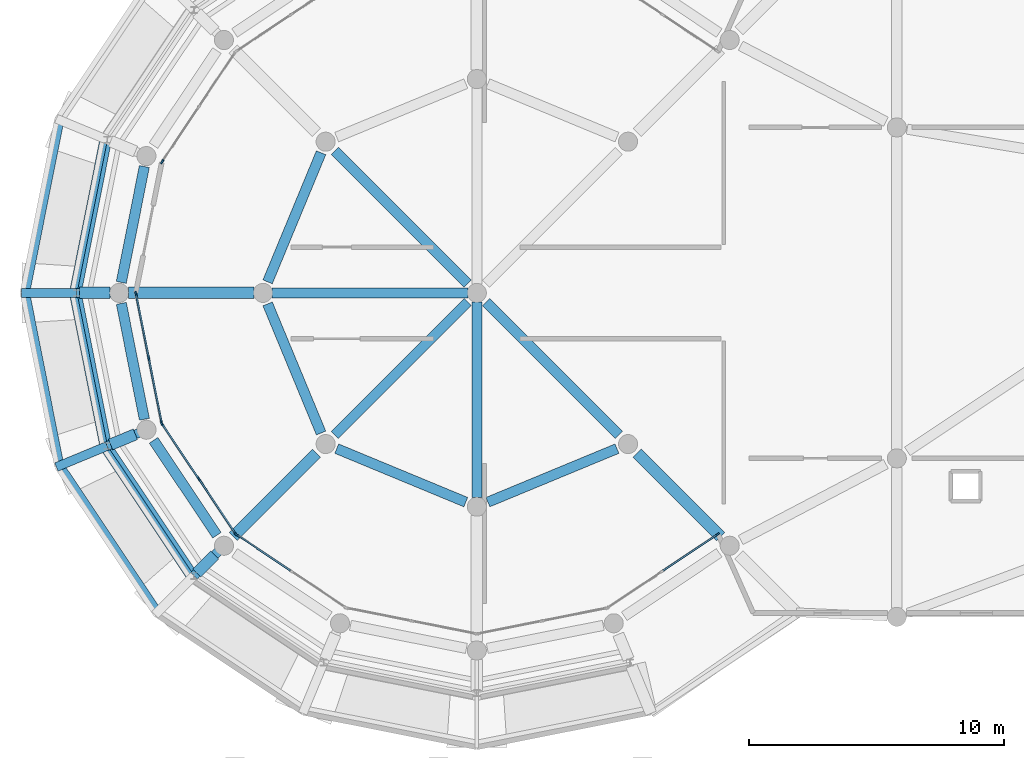
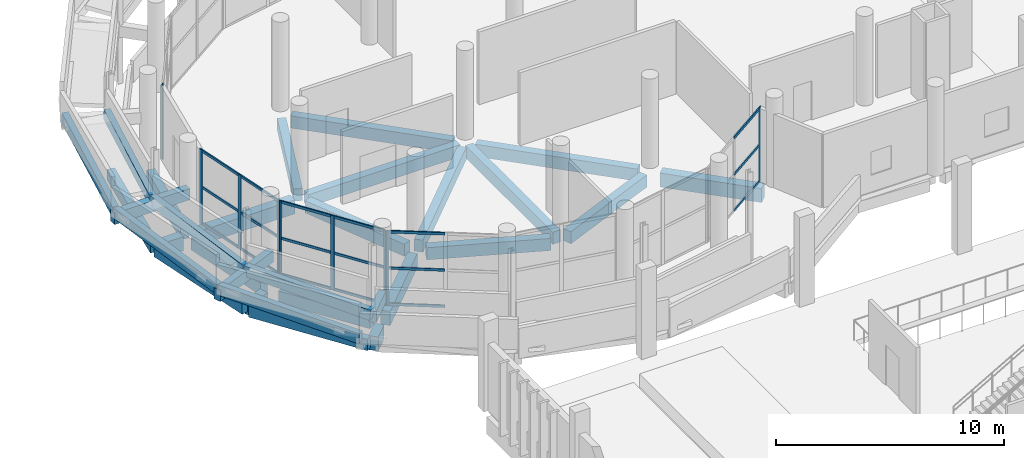
# One storey, part 25 of 106: 32 beams, 27 members, 5 elements without a shape of their own.
"""IFC4 building model written with IfcOpenShell, lengths in metres."""

from ifc_helpers import new_model, si_unit, direction, frame, origin, origin_2d, place, context, subcontext, project, spatial, rectangle, extrude, material, layer, layer_set, material_profile, profile_set, type_object, element, aggregate, save


model = new_model("IFC4")

# Units and contexts
model_context = context("Model", 3, precision=1e-05, world=origin(), true_north=direction((0.0, 1.0)))
body_context = subcontext(model_context, "Body", "Model", "MODEL_VIEW")
ifc_project = project(units=[si_unit("LENGTHUNIT", "METRE"), si_unit("AREAUNIT", "SQUARE_METRE"), si_unit("VOLUMEUNIT", "CUBIC_METRE"), si_unit("PLANEANGLEUNIT", "RADIAN"), si_unit("MASSUNIT", "GRAM", prefix="KILO")], contexts=[model_context])

# Site, building, storey
site_placement = place(None, origin())
site = spatial("IfcSite", under=ifc_project, at=site_placement, CompositionType="ELEMENT")
building_placement = place(site_placement, origin())
building = spatial("IfcBuilding", under=site, at=building_placement, Name="Jelvoka-Kovrelna Polytechnic", CompositionType="ELEMENT")
storey_placement = place(building_placement, frame((0.0, 0.0, 4.800048828125)))
storey = spatial("IfcBuildingStorey", under=building, at=storey_placement, Name="L02", CompositionType="ELEMENT", Elevation=4.800048828125)

# Beams
ifc_material_1 = material(Name="Concrete C35/45", Category="concrete")
ifc_material_profile_1 = material_profile(ifc_material_1, rectangle(XDim=0.35009765625, YDim=0.60009765625, at=origin_2d()), Name="RC 350x600")
ifc_profile_set_1 = profile_set([ifc_material_profile_1], Name="Concrete C35/45")
beam_type_1 = type_object("IfcBeamType", Name="Beam_RC_350x600", PredefinedType="BEAM", material=ifc_profile_set_1)
for number, where, z_axis, x_axis, name in (
    (1, (15.565185546875, 32.565185546875, 0.9150390625), (-0.707106781187, -0.707106781187, 0.0), (0.707106781187, -0.707106781187, 0.0), "L02 spiral ramp inner tie beam 2.8"),
    (2, (12.51953125, 37.123291015625, 1.39501953125), (-0.923870731357, -0.38270467954, 0.0), (0.38270467954, -0.923870731357, 0.0), "L02 spiral ramp inner tie beam 2.7"),
):
    element("IfcBeam", number, at=place(storey_placement, frame(where, z_axis=z_axis, x_axis=x_axis)), inside=storey, type_object=beam_type_1, Name=name, PredefinedType="BEAM", context=body_context, shape_type="SweptSolid", body=[
        extrude(rectangle(XDim=0.35009765625, YDim=0.60009765625, at=origin_2d()), origin(), (0.0, 0.0, 1.0), 1.670166015625),
    ])
beam_1_placement = place(storey_placement, frame((10.9765625, 36.484130859375, 1.39501953125), z_axis=(-0.923910766313, -0.382608018592, 0.0), x_axis=(0.382608018592, -0.923910766313, 0.0)))
element("IfcBeam", 3, at=beam_1_placement, inside=storey, type_object=beam_type_1, Name="L02 spiral ramp cantilever bracket 2.7", PredefinedType="BEAM", context=body_context, shape_type="SweptSolid", body=[
    extrude(rectangle(XDim=0.35009765625, YDim=0.60009765625, at=origin_2d()), origin(), (0.0, 0.0, 1.0), 2.159912109375),
])
beam_2_placement = place(storey_placement, frame((11.449951171875, 42.5, 1.875), z_axis=(-1.0, 0.0, 0.0), x_axis=(0.0, -1.0, 0.0)))
element("IfcBeam", 4, at=beam_2_placement, inside=storey, type_object=beam_type_1, Name="L02 spiral ramp inner tie beam 2.6", PredefinedType="BEAM", context=body_context, shape_type="SweptSolid", body=[
    extrude(rectangle(XDim=0.35009765625, YDim=0.60009765625, at=origin_2d()), origin(), (0.0, 0.0, 1.0), 1.669921875),
])
beam_3_placement = place(storey_placement, frame((9.780029296875, 42.5, 1.875), z_axis=(-1.0, 0.0, 0.0), x_axis=(0.0, -1.0, 0.0)))
element("IfcBeam", 5, at=beam_3_placement, inside=storey, type_object=beam_type_1, Name="L02 spiral ramp cantilever bracket 2.6", PredefinedType="BEAM", context=body_context, shape_type="SweptSolid", body=[
    extrude(rectangle(XDim=0.35009765625, YDim=0.60009765625, at=origin_2d()), origin(), (0.0, 0.0, 1.0), 2.159912109375),
])
ifc_material_2 = material(Name="Concrete C40/50", Category="concrete")
ifc_material_profile_2 = material_profile(ifc_material_2, rectangle(XDim=0.39990234375, YDim=0.64990234375, at=origin_2d()), Name="RC 400x650")
ifc_profile_set_2 = profile_set([ifc_material_profile_2], Name="Concrete C40/50")
beam_type_2 = type_object("IfcBeamType", Name="Beam_RC_400x650", PredefinedType="BEAM", material=ifc_profile_set_2)
beam_4_placement = place(storey_placement, frame((25.13916015625, 42.86083984375, -0.574951171875), z_axis=(-0.707106781187, 0.707106781187, 0.0), x_axis=(-0.707106781187, -0.707106781187, 0.0)))
element("IfcBeam", 6, at=beam_4_placement, inside=storey, type_object=beam_type_2, Name="L02 beam 2400", PredefinedType="BEAM", context=body_context, shape_type="SweptSolid", body=[
    extrude(rectangle(XDim=0.39990234375, YDim=0.64990234375, at=origin_2d()), origin(), (0.0, 0.0, 1.0), 7.37939453125),
])
beam_5_placement = place(storey_placement, frame((25.14501953125, 42.5, -0.574951171875), z_axis=(-1.0, 0.0, 0.0), x_axis=(0.0, -1.0, 0.0)))
element("IfcBeam", 7, at=beam_5_placement, inside=storey, type_object=beam_type_2, Name="L02 beam 2402", PredefinedType="BEAM", context=body_context, shape_type="SweptSolid", body=[
    extrude(rectangle(XDim=0.39990234375, YDim=0.64990234375, at=origin_2d()), origin(), (0.0, 0.0, 1.0), 7.68994140625),
])
beam_6_placement = place(storey_placement, frame((25.13916015625, 42.13916015625, -0.574951171875), z_axis=(-0.707106781187, -0.707106781187, 0.0), x_axis=(0.707106781187, -0.707106781187, 0.0)))
element("IfcBeam", 8, at=beam_6_placement, inside=storey, type_object=beam_type_2, Name="L02 beam 2404", PredefinedType="BEAM", context=body_context, shape_type="SweptSolid", body=[
    extrude(rectangle(XDim=0.39990234375, YDim=0.64990234375, at=origin_2d()), origin(), (0.0, 0.0, 1.0), 7.37939453125),
])
beam_7_placement = place(storey_placement, frame((25.5, 42.14501953125, -0.574951171875), z_axis=(0.0, -1.0, 0.0), x_axis=(1.0, 0.0, 0.0)))
element("IfcBeam", 9, at=beam_7_placement, inside=storey, type_object=beam_type_2, Name="L02 beam 2406", PredefinedType="BEAM", context=body_context, shape_type="SweptSolid", body=[
    extrude(rectangle(XDim=0.39990234375, YDim=0.64990234375, at=origin_2d()), origin(), (0.0, 0.0, 1.0), 7.68994140625),
])
beam_8_placement = place(storey_placement, frame((25.86083984375, 42.13916015625, -0.574951171875), z_axis=(0.707106781187, -0.707106781187, 0.0), x_axis=(0.707106781187, 0.707106781187, 0.0)))
element("IfcBeam", 10, at=beam_8_placement, inside=storey, type_object=beam_type_2, Name="L02 beam 2408", PredefinedType="BEAM", context=body_context, shape_type="SweptSolid", body=[
    extrude(rectangle(XDim=0.39990234375, YDim=0.64990234375, at=origin_2d()), origin(), (0.0, 0.0, 1.0), 7.37939453125),
])
for number, where, z_axis, x_axis, name in (
    (11, (19.380615234375, 48.005615234375, -0.574951171875), (-0.382703994805, -0.923871015002, 0.0), (0.923871015002, -0.382703994805, 0.0), "L02 beam 2412"),
    (12, (17.27978515625, 42.06591796875, -0.574951171875), (0.382703994805, -0.923871015002, 0.0), (0.923871015002, 0.382703994805, 0.0), "L02 beam 2413"),
    (13, (19.994384765625, 36.380615234375, -0.574951171875), (0.923871015002, -0.382703994805, 0.0), (0.382703994805, 0.923871015002, 0.0), "L02 beam 2414"),
    (14, (25.93408203125, 34.27978515625, -0.574951171875), (0.923871015002, 0.382703994805, 0.0), (-0.382703994805, 0.923871015002, 0.0), "L02 beam 2415"),
):
    element("IfcBeam", number, at=place(storey_placement, frame(where, z_axis=z_axis, x_axis=x_axis)), inside=storey, type_object=beam_type_2, Name=name, PredefinedType="BEAM", context=body_context, shape_type="SweptSolid", body=[
        extrude(rectangle(XDim=0.39990234375, YDim=0.64990234375, at=origin_2d()), origin(), (0.0, 0.0, 1.0), 5.489501953125),
    ])
for number, where, z_axis, x_axis, name in (
    (15, (12.4375, 47.4638671875, -0.574951171875), (-0.195144706619, -0.980774461066, 0.0), (0.980774461066, -0.195144706619, 0.0), "L02 beam 2421"),
    (16, (11.531982421875, 42.087158203125, -0.574951171875), (0.195144706619, -0.980774461066, 0.0), (0.980774461066, 0.195144706619, 0.0), "L02 beam 2422"),
):
    element("IfcBeam", number, at=place(storey_placement, frame(where, z_axis=z_axis, x_axis=x_axis)), inside=storey, type_object=beam_type_2, Name=name, PredefinedType="BEAM", context=body_context, shape_type="SweptSolid", body=[
        extrude(rectangle(XDim=0.39990234375, YDim=0.64990234375, at=origin_2d()), origin(), (0.0, 0.0, 1.0), 4.64013671875),
    ])
beam_9_placement = place(storey_placement, frame((12.79736328125, 36.70751953125, -0.574951171875), z_axis=(0.55552960698, -0.831496756319, 0.0), x_axis=(0.831496756319, 0.55552960698, 0.0)))
element("IfcBeam", 17, at=beam_9_placement, inside=storey, type_object=beam_type_2, Name="L02 beam 2423", PredefinedType="BEAM", context=body_context, shape_type="SweptSolid", body=[
    extrude(rectangle(XDim=0.39990234375, YDim=0.64990234375, at=origin_2d()), origin(), (0.0, 0.0, 1.0), 4.481689453125),
])
ifc_material_3 = material(Name="Concrete C40/50", Category="concrete")
ifc_material_profile_3 = material_profile(ifc_material_3, rectangle(XDim=0.449951171875, YDim=0.75, at=origin_2d()), Name="RC 450x750")
ifc_profile_set_3 = profile_set([ifc_material_profile_3], Name="Concrete C40/50")
beam_type_3 = type_object("IfcBeamType", Name="Beam_RC_450x750", PredefinedType="BEAM", material=ifc_profile_set_3)
beam_10_placement = place(storey_placement, frame((16.7451171875, 42.5, -0.625), z_axis=(-1.0, 0.0, 0.0), x_axis=(0.0, -1.0, 0.0)))
element("IfcBeam", 18, at=beam_10_placement, inside=storey, type_object=beam_type_3, Name="L02 beam 2403", PredefinedType="BEAM", context=body_context, shape_type="SweptSolid", body=[
    extrude(rectangle(XDim=0.449951171875, YDim=0.75, at=origin_2d()), origin(), (0.0, 0.0, 1.0), 4.940185546875),
])
for number, where, z_axis, x_axis, name in (
    (19, (19.199462890625, 36.199462890625, -0.625), (-0.707106781187, -0.707106781187, 0.0), (0.707106781187, -0.707106781187, 0.0), "L02 beam 2405"),
    (20, (31.800537109375, 36.199462890625, -0.625), (0.707106781187, -0.707106781187, 0.0), (0.707106781187, 0.707106781187, 0.0), "L02 beam 2409"),
):
    element("IfcBeam", number, at=place(storey_placement, frame(where, z_axis=z_axis, x_axis=x_axis)), inside=storey, type_object=beam_type_3, Name=name, PredefinedType="BEAM", context=body_context, shape_type="SweptSolid", body=[
        extrude(rectangle(XDim=0.449951171875, YDim=0.75, at=origin_2d()), origin(), (0.0, 0.0, 1.0), 4.62939453125),
    ])
beam_11_placement = place(storey_placement, frame((11.094970703125, 42.5, -0.625), z_axis=(-1.0, 0.0, 0.0), x_axis=(0.0, -1.0, 0.0)))
element("IfcBeam", 21, at=beam_11_placement, inside=storey, type_object=beam_type_3, Name="L02 beam 2435", PredefinedType="BEAM", context=body_context, shape_type="SweptSolid", body=[
    extrude(rectangle(XDim=0.449951171875, YDim=0.75, at=origin_2d()), origin(), (0.0, 0.0, 1.0), 1.2080078125),
])
beam_12_placement = place(storey_placement, frame((12.085205078125, 36.943603515625, -0.625), z_axis=(-0.923822033971, -0.382822216634, 0.0), x_axis=(0.382822216634, -0.923822033971, 0.0)))
element("IfcBeam", 22, at=beam_12_placement, inside=storey, type_object=beam_type_3, Name="L02 beam 2436", PredefinedType="BEAM", context=body_context, shape_type="SweptSolid", body=[
    extrude(rectangle(XDim=0.449951171875, YDim=0.75, at=origin_2d()), origin(), (0.0, 0.0, 1.0), 1.05419921875),
])
beam_13_placement = place(storey_placement, frame((15.2041015625, 32.2041015625, -0.625), z_axis=(-0.707106781187, -0.707106781187, 0.0), x_axis=(0.707106781187, -0.707106781187, 0.0)))
element("IfcBeam", 23, at=beam_13_placement, inside=storey, type_object=beam_type_3, Name="L02 beam 2437", PredefinedType="BEAM", context=body_context, shape_type="SweptSolid", body=[
    extrude(rectangle(XDim=0.449951171875, YDim=0.75, at=origin_2d()), origin(), (0.0, 0.0, 1.0), 0.99951171875),
])

# Curtain wall, member
ifc_material_4 = material(Name="Anodised aluminium 6063-T6", Category="aluminium")
ifc_layer = layer(ifc_material_4, 0.179931640625)
ifc_layer_set = layer_set([ifc_layer], Name="Anodised aluminium 6063-T6")
curtain_wall_type = type_object("IfcCurtainWallType", Name="CW_Pavilion", PredefinedType="NOTDEFINED", material=ifc_layer_set)
curtain_wall_1_placement = place(storey_placement, origin())
curtain_wall_1 = element("IfcCurtainWall", 24, at=curtain_wall_1_placement, inside=storey, type_object=curtain_wall_type, Name="L02 glazed curtain wall 226", PredefinedType="NOTDEFINED")
ifc_material_5 = material(Name="Anodised aluminium 6063-T6", Category="aluminium")
ifc_material_profile_4 = material_profile(ifc_material_5, rectangle(XDim=0.06494140625, YDim=0.179931640625, at=origin_2d()), Name="ALU 65x180")
ifc_profile_set_4 = profile_set([ifc_material_profile_4], Name="Anodised aluminium 6063-T6")
member_type_1 = type_object("IfcMemberType", Name="Mullion_M-05", PredefinedType="MULLION", material=ifc_profile_set_4)
member_1_placement = place(storey_placement, frame((13.137939453125, 47.655029296875, -0.02490234375), z_axis=(0.0, 0.0, 1.0), x_axis=(-0.83146132254, 0.555582639326, 0.0)))
member_1 = element("IfcMember", 25, at=member_1_placement, type_object=member_type_1, Name="CW-05 mullion 1", PredefinedType="MULLION", context=body_context, shape_type="SweptSolid", body=[
    extrude(rectangle(XDim=0.06494140625, YDim=0.179931640625, at=origin_2d()), origin(), (0.0, 0.0, 1.0), 4.0),
])
aggregate(curtain_wall_1, [member_1])

# Curtain wall, members
curtain_wall_2_placement = place(storey_placement, origin())
curtain_wall_2 = element("IfcCurtainWall", 26, at=curtain_wall_2_placement, inside=storey, type_object=curtain_wall_type, Name="L02 glazed curtain wall 227", PredefinedType="NOTDEFINED")
member_2_placement = place(storey_placement, frame((13.11376953125, 37.40380859375, -0.02490234375), z_axis=(0.0, 0.0, 1.0), x_axis=(-0.980786108197, -0.195086160371, 0.0)))
member_2 = element("IfcMember", 27, at=member_2_placement, type_object=member_type_1, Name="CW-05 mullion 1", PredefinedType="MULLION", context=body_context, shape_type="SweptSolid", body=[
    extrude(rectangle(XDim=0.06494140625, YDim=0.179931640625, at=origin_2d()), origin(), (0.0, 0.0, 1.0), 4.0),
])
member_3_placement = place(storey_placement, frame((12.610107421875, 39.93603515625, -0.02490234375), z_axis=(0.0, 0.0, 1.0), x_axis=(-0.980786108197, -0.195086160371, 0.0)))
member_3 = element("IfcMember", 28, at=member_3_placement, type_object=member_type_1, Name="CW-05 mullion 2", PredefinedType="MULLION", context=body_context, shape_type="SweptSolid", body=[
    extrude(rectangle(XDim=0.06494140625, YDim=0.179931640625, at=origin_2d()), origin(), (0.0, 0.0, 1.0), 4.0),
])
member_4_placement = place(storey_placement, frame((12.1064453125, 42.468017578125, -0.02490234375), z_axis=(0.0, 0.0, 1.0), x_axis=(-0.980786108197, -0.195086160371, 0.0)))
member_4 = element("IfcMember", 29, at=member_4_placement, type_object=member_type_1, Name="CW-05 mullion 3", PredefinedType="MULLION", context=body_context, shape_type="SweptSolid", body=[
    extrude(rectangle(XDim=0.06494140625, YDim=0.179931640625, at=origin_2d()), origin(), (0.0, 0.0, 1.0), 4.0),
])

curtain_wall_3_placement = place(storey_placement, origin())
curtain_wall_3 = element("IfcCurtainWall", 30, at=curtain_wall_3_placement, inside=storey, type_object=curtain_wall_type, Name="L02 glazed curtain wall 228", PredefinedType="NOTDEFINED")
member_5_placement = place(storey_placement, frame((16.0068359375, 33.0517578125, -0.02490234375), z_axis=(0.0, 0.0, 1.0), x_axis=(-0.83146132254, -0.555582639326, 0.0)))
member_5 = element("IfcMember", 31, at=member_5_placement, type_object=member_type_1, Name="CW-05 mullion 1", PredefinedType="MULLION", context=body_context, shape_type="SweptSolid", body=[
    extrude(rectangle(XDim=0.06494140625, YDim=0.179931640625, at=origin_2d()), origin(), (0.0, 0.0, 1.0), 4.0),
])
member_6_placement = place(storey_placement, frame((14.572509765625, 35.198486328125, -0.02490234375), z_axis=(0.0, 0.0, 1.0), x_axis=(-0.83146132254, -0.555582639326, 0.0)))
member_6 = element("IfcMember", 32, at=member_6_placement, type_object=member_type_1, Name="CW-05 mullion 2", PredefinedType="MULLION", context=body_context, shape_type="SweptSolid", body=[
    extrude(rectangle(XDim=0.06494140625, YDim=0.179931640625, at=origin_2d()), origin(), (0.0, 0.0, 1.0), 4.0),
])
member_7_placement = place(storey_placement, frame((13.137939453125, 37.344970703125, -0.02490234375), z_axis=(0.0, 0.0, 1.0), x_axis=(-0.83146132254, -0.555582639326, 0.0)))
member_7 = element("IfcMember", 33, at=member_7_placement, type_object=member_type_1, Name="CW-05 mullion 3", PredefinedType="MULLION", context=body_context, shape_type="SweptSolid", body=[
    extrude(rectangle(XDim=0.06494140625, YDim=0.179931640625, at=origin_2d()), origin(), (0.0, 0.0, 1.0), 4.0),
])

# Curtain wall, member
curtain_wall_4_placement = place(storey_placement, origin())
curtain_wall_4 = element("IfcCurtainWall", 34, at=curtain_wall_4_placement, inside=storey, type_object=curtain_wall_type, Name="L02 glazed curtain wall 229", PredefinedType="NOTDEFINED")
member_8_placement = place(storey_placement, frame((16.0517578125, 33.0068359375, -0.02490234375), z_axis=(0.0, 0.0, 1.0), x_axis=(-0.555582639326, -0.83146132254, 0.0)))
member_8 = element("IfcMember", 35, at=member_8_placement, type_object=member_type_1, Name="CW-05 mullion 3", PredefinedType="MULLION", context=body_context, shape_type="SweptSolid", body=[
    extrude(rectangle(XDim=0.06494140625, YDim=0.179931640625, at=origin_2d()), origin(), (0.0, 0.0, 1.0), 4.0),
])

curtain_wall_5_placement = place(storey_placement, origin())
curtain_wall_5 = element("IfcCurtainWall", 36, at=curtain_wall_5_placement, inside=storey, type_object=curtain_wall_type, Name="L02 glazed curtain wall 232", PredefinedType="NOTDEFINED")
member_9_placement = place(storey_placement, frame((34.9482421875, 33.0068359375, -0.02490234375), z_axis=(0.0, 0.0, 1.0), x_axis=(0.555582639326, -0.83146132254, 0.0)))
member_9 = element("IfcMember", 37, at=member_9_placement, type_object=member_type_1, Name="CW-05 mullion 1", PredefinedType="MULLION", context=body_context, shape_type="SweptSolid", body=[
    extrude(rectangle(XDim=0.06494140625, YDim=0.179931640625, at=origin_2d()), origin(), (0.0, 0.0, 1.0), 4.0),
])

# Beams
ifc_material_6 = material(Name="Concrete C40/50", Category="concrete")
ifc_material_profile_5 = material_profile(ifc_material_6, rectangle(XDim=0.300048828125, YDim=0.550048828125, at=origin_2d()), Name="RC 300x550")
ifc_profile_set_5 = profile_set([ifc_material_profile_5], Name="Concrete C40/50")
beam_type_4 = type_object("IfcBeamType", Name="Spandrel_RC_300x550", PredefinedType="SPANDREL", material=ifc_profile_set_5)
beam_14_placement = place(storey_placement, frame((12.97021484375, 29.97021484375, 1.1650390625), z_axis=(-0.554262207017, 0.829455823466, 0.069256355599), x_axis=(-0.831452226772, -0.555596251424, 0.0)))
element("IfcBeam", 38, at=beam_14_placement, inside=storey, type_object=beam_type_4, Name="L02 spiral ramp curved outer stringer 2.8", PredefinedType="SPANDREL", context=body_context, shape_type="SweptSolid", body=[
    extrude(rectangle(XDim=0.300048828125, YDim=0.550048828125, at=origin_2d()), origin(), (0.0, 0.0, 1.0), 6.930419921875),
])
beam_15_placement = place(storey_placement, frame((14.285400390625, 31.285400390625, 1.1650390625), z_axis=(-0.553910202908, 0.828977242315, 0.077331874657), x_axis=(-0.831467148194, -0.555573920801, 0.0)))
element("IfcBeam", 39, at=beam_15_placement, inside=storey, type_object=beam_type_4, Name="L02 spiral ramp curved inner stringer 2.8", PredefinedType="SPANDREL", context=body_context, shape_type="SweptSolid", body=[
    extrude(rectangle(XDim=0.300048828125, YDim=0.550048828125, at=origin_2d()), origin(), (0.0, 0.0, 1.0), 6.206787109375),
])
beam_16_placement = place(storey_placement, frame((9.12890625, 35.71875, 1.64501953125), z_axis=(-0.194622265834, 0.978430417341, 0.069253823462), x_axis=(-0.980785212274, -0.195090664524, 0.0)))
element("IfcBeam", 40, at=beam_16_placement, inside=storey, type_object=beam_type_4, Name="L02 spiral ramp curved outer stringer 2.7", PredefinedType="SPANDREL", context=body_context, shape_type="SweptSolid", body=[
    extrude(rectangle(XDim=0.300048828125, YDim=0.550048828125, at=origin_2d()), origin(), (0.0, 0.0, 1.0), 6.9306640625),
])
beam_17_placement = place(storey_placement, frame((10.847412109375, 36.4306640625, 1.64501953125), z_axis=(-0.194545422909, 0.977840520324, 0.07733042892), x_axis=(-0.980777439808, -0.195129735209, 0.0)))
element("IfcBeam", 41, at=beam_17_placement, inside=storey, type_object=beam_type_4, Name="L02 spiral ramp curved inner stringer 2.7", PredefinedType="SPANDREL", context=body_context, shape_type="SweptSolid", body=[
    extrude(rectangle(XDim=0.300048828125, YDim=0.550048828125, at=origin_2d()), origin(), (0.0, 0.0, 1.0), 6.206787109375),
])
beam_18_placement = place(storey_placement, frame((7.780029296875, 42.5, 2.125), z_axis=(0.194622265834, 0.978430417341, 0.069253823462), x_axis=(-0.980785212274, 0.195090664524, 0.0)))
element("IfcBeam", 42, at=beam_18_placement, inside=storey, type_object=beam_type_4, Name="L02 spiral ramp curved outer stringer 2.6", PredefinedType="SPANDREL", context=body_context, shape_type="SweptSolid", body=[
    extrude(rectangle(XDim=0.300048828125, YDim=0.550048828125, at=origin_2d()), origin(), (0.0, 0.0, 1.0), 6.9306640625),
])
beam_19_placement = place(storey_placement, frame((9.639892578125, 42.5, 2.125), z_axis=(0.194545422909, 0.977840520324, 0.07733042892), x_axis=(-0.980777439808, 0.195129735209, 0.0)))
element("IfcBeam", 43, at=beam_19_placement, inside=storey, type_object=beam_type_4, Name="L02 spiral ramp curved inner stringer 2.6", PredefinedType="SPANDREL", context=body_context, shape_type="SweptSolid", body=[
    extrude(rectangle(XDim=0.300048828125, YDim=0.550048828125, at=origin_2d()), origin(), (0.0, 0.0, 1.0), 6.206787109375),
])
ifc_material_7 = material(Name="Concrete C40/50", Category="concrete")
ifc_material_profile_6 = material_profile(ifc_material_7, rectangle(XDim=0.35009765625, YDim=0.60009765625, at=origin_2d()), Name="RC 350x600")
ifc_profile_set_6 = profile_set([ifc_material_profile_6], Name="Concrete C40/50")
beam_type_5 = type_object("IfcBeamType", Name="Spandrel_RC_350x600", PredefinedType="SPANDREL", material=ifc_profile_set_6)
for number, where, z_axis, x_axis, name in (
    (44, (10.951416015625, 48.388916015625, -0.550048828125), (-0.195109079005, -0.98078154922, 0.0), (0.98078154922, -0.195109079005, 0.0), "L02 beam 2446"),
    (45, (9.80517578125, 42.373046875, -0.550048828125), (0.195109079005, -0.98078154922, 0.0), (0.98078154922, 0.195109079005, 0.0), "L02 beam 2447"),
):
    element("IfcBeam", number, at=place(storey_placement, frame(where, z_axis=z_axis, x_axis=x_axis)), inside=storey, type_object=beam_type_5, Name=name, PredefinedType="SPANDREL", context=body_context, shape_type="SweptSolid", body=[
        extrude(rectangle(XDim=0.35009765625, YDim=0.60009765625, at=origin_2d()), origin(), (0.0, 0.0, 1.0), 5.874755859375),
    ])
beam_20_placement = place(storey_placement, frame((11.0634765625, 36.3544921875, -0.550048828125), z_axis=(0.555561254279, -0.831475611635, 0.0), x_axis=(0.831475611635, 0.555561254279, 0.0)))
element("IfcBeam", 46, at=beam_20_placement, inside=storey, type_object=beam_type_5, Name="L02 beam 2448", PredefinedType="SPANDREL", context=body_context, shape_type="SweptSolid", body=[
    extrude(rectangle(XDim=0.35009765625, YDim=0.60009765625, at=origin_2d()), origin(), (0.0, 0.0, 1.0), 5.8212890625),
])

# Member
ifc_material_8 = material(Name="Anodised aluminium 6063-T6", Category="aluminium")
ifc_material_profile_7 = material_profile(ifc_material_8, rectangle(XDim=0.06494140625, YDim=0.135009765625, at=origin_2d()), Name="ALU 65x135")
ifc_profile_set_7 = profile_set([ifc_material_profile_7], Name="Anodised aluminium 6063-T6")
member_type_2 = type_object("IfcMemberType", Name="Transom_T-05", PredefinedType="USERDEFINED", material=ifc_profile_set_7)
member_10_placement = place(storey_placement, frame((13.107421875, 37.435791015625, 0.032470703125), z_axis=(-0.195089945547, 0.980785355287, 0.0), x_axis=(-0.980785355287, -0.195089945547, 0.0)))
member_10 = element("IfcMember", 47, at=member_10_placement, type_object=member_type_2, Name="CW-05 transom 1.1", ObjectType="TRANSOM", PredefinedType="USERDEFINED", context=body_context, shape_type="SweptSolid", body=[
    extrude(rectangle(XDim=0.06494140625, YDim=0.135009765625, at=origin_2d()), origin(), (0.0, 0.0, 1.0), 2.5166015625),
])

member_11_placement = place(storey_placement, frame((13.107421875, 37.435791015625, 1.974853515625), z_axis=(-0.195089945547, 0.980785355287, 0.0), x_axis=(-0.980785355287, -0.195089945547, 0.0)))
member_11 = element("IfcMember", 48, at=member_11_placement, type_object=member_type_2, Name="CW-05 transom 1.2", ObjectType="TRANSOM", PredefinedType="USERDEFINED", context=body_context, shape_type="SweptSolid", body=[
    extrude(rectangle(XDim=0.06494140625, YDim=0.135009765625, at=origin_2d()), origin(), (0.0, 0.0, 1.0), 2.5166015625),
])

member_12_placement = place(storey_placement, frame((13.107421875, 37.435791015625, 3.91748046875), z_axis=(-0.195089945547, 0.980785355287, 0.0), x_axis=(-0.980785355287, -0.195089945547, 0.0)))
member_12 = element("IfcMember", 49, at=member_12_placement, type_object=member_type_2, Name="CW-05 transom 1.3", ObjectType="TRANSOM", PredefinedType="USERDEFINED", context=body_context, shape_type="SweptSolid", body=[
    extrude(rectangle(XDim=0.06494140625, YDim=0.135009765625, at=origin_2d()), origin(), (0.0, 0.0, 1.0), 2.5166015625),
])

member_13_placement = place(storey_placement, frame((12.603759765625, 39.9677734375, 0.032470703125), z_axis=(-0.195071384983, 0.980789047023, 0.0), x_axis=(-0.980789047023, -0.195071384983, 0.0)))
member_13 = element("IfcMember", 50, at=member_13_placement, type_object=member_type_2, Name="CW-05 transom 2.1", ObjectType="TRANSOM", PredefinedType="USERDEFINED", context=body_context, shape_type="SweptSolid", body=[
    extrude(rectangle(XDim=0.06494140625, YDim=0.135009765625, at=origin_2d()), origin(), (0.0, 0.0, 1.0), 2.516845703125),
])

member_14_placement = place(storey_placement, frame((12.603759765625, 39.9677734375, 1.974853515625), z_axis=(-0.195071384983, 0.980789047023, 0.0), x_axis=(-0.980789047023, -0.195071384983, 0.0)))
member_14 = element("IfcMember", 51, at=member_14_placement, type_object=member_type_2, Name="CW-05 transom 2.2", ObjectType="TRANSOM", PredefinedType="USERDEFINED", context=body_context, shape_type="SweptSolid", body=[
    extrude(rectangle(XDim=0.06494140625, YDim=0.135009765625, at=origin_2d()), origin(), (0.0, 0.0, 1.0), 2.516845703125),
])

member_15_placement = place(storey_placement, frame((12.603759765625, 39.9677734375, 3.91748046875), z_axis=(-0.195071384983, 0.980789047023, 0.0), x_axis=(-0.980789047023, -0.195071384983, 0.0)))
member_15 = element("IfcMember", 52, at=member_15_placement, type_object=member_type_2, Name="CW-05 transom 2.3", ObjectType="TRANSOM", PredefinedType="USERDEFINED", context=body_context, shape_type="SweptSolid", body=[
    extrude(rectangle(XDim=0.06494140625, YDim=0.135009765625, at=origin_2d()), origin(), (0.0, 0.0, 1.0), 2.516845703125),
])

aggregate(curtain_wall_2, [member_2, member_3, member_4, member_10, member_11, member_12, member_13, member_14, member_15])

member_16_placement = place(storey_placement, frame((15.98876953125, 33.078857421875, 0.032470703125), z_axis=(-0.555572975667, 0.831467779718, 0.0), x_axis=(-0.831467779718, -0.555572975667, 0.0)))
member_16 = element("IfcMember", 53, at=member_16_placement, type_object=member_type_2, Name="CW-05 transom 1.1", ObjectType="TRANSOM", PredefinedType="USERDEFINED", context=body_context, shape_type="SweptSolid", body=[
    extrude(rectangle(XDim=0.06494140625, YDim=0.135009765625, at=origin_2d()), origin(), (0.0, 0.0, 1.0), 2.5166015625),
])

member_17_placement = place(storey_placement, frame((15.98876953125, 33.078857421875, 1.974853515625), z_axis=(-0.555572975667, 0.831467779718, 0.0), x_axis=(-0.831467779718, -0.555572975667, 0.0)))
member_17 = element("IfcMember", 54, at=member_17_placement, type_object=member_type_2, Name="CW-05 transom 1.2", ObjectType="TRANSOM", PredefinedType="USERDEFINED", context=body_context, shape_type="SweptSolid", body=[
    extrude(rectangle(XDim=0.06494140625, YDim=0.135009765625, at=origin_2d()), origin(), (0.0, 0.0, 1.0), 2.5166015625),
])

member_18_placement = place(storey_placement, frame((15.98876953125, 33.078857421875, 3.91748046875), z_axis=(-0.555572975667, 0.831467779718, 0.0), x_axis=(-0.831467779718, -0.555572975667, 0.0)))
member_18 = element("IfcMember", 55, at=member_18_placement, type_object=member_type_2, Name="CW-05 transom 1.3", ObjectType="TRANSOM", PredefinedType="USERDEFINED", context=body_context, shape_type="SweptSolid", body=[
    extrude(rectangle(XDim=0.06494140625, YDim=0.135009765625, at=origin_2d()), origin(), (0.0, 0.0, 1.0), 2.5166015625),
])

member_19_placement = place(storey_placement, frame((14.554443359375, 35.225341796875, 0.032470703125), z_axis=(-0.555640036612, 0.831422966795, 0.0), x_axis=(-0.831422966795, -0.555640036612, 0.0)))
member_19 = element("IfcMember", 56, at=member_19_placement, type_object=member_type_2, Name="CW-05 transom 2.1", ObjectType="TRANSOM", PredefinedType="USERDEFINED", context=body_context, shape_type="SweptSolid", body=[
    extrude(rectangle(XDim=0.06494140625, YDim=0.135009765625, at=origin_2d()), origin(), (0.0, 0.0, 1.0), 2.516845703125),
])

member_20_placement = place(storey_placement, frame((14.554443359375, 35.225341796875, 1.974853515625), z_axis=(-0.555640036612, 0.831422966795, 0.0), x_axis=(-0.831422966795, -0.555640036612, 0.0)))
member_20 = element("IfcMember", 57, at=member_20_placement, type_object=member_type_2, Name="CW-05 transom 2.2", ObjectType="TRANSOM", PredefinedType="USERDEFINED", context=body_context, shape_type="SweptSolid", body=[
    extrude(rectangle(XDim=0.06494140625, YDim=0.135009765625, at=origin_2d()), origin(), (0.0, 0.0, 1.0), 2.516845703125),
])

member_21_placement = place(storey_placement, frame((14.554443359375, 35.225341796875, 3.91748046875), z_axis=(-0.555640036612, 0.831422966795, 0.0), x_axis=(-0.831422966795, -0.555640036612, 0.0)))
member_21 = element("IfcMember", 58, at=member_21_placement, type_object=member_type_2, Name="CW-05 transom 2.3", ObjectType="TRANSOM", PredefinedType="USERDEFINED", context=body_context, shape_type="SweptSolid", body=[
    extrude(rectangle(XDim=0.06494140625, YDim=0.135009765625, at=origin_2d()), origin(), (0.0, 0.0, 1.0), 2.516845703125),
])

aggregate(curtain_wall_3, [member_5, member_6, member_7, member_16, member_17, member_18, member_19, member_20, member_21])

member_22_placement = place(storey_placement, frame((18.17138671875, 31.590576171875, 0.032470703125), z_axis=(-0.831467779718, 0.555572975667, 0.0), x_axis=(-0.555572975667, -0.831467779718, 0.0)))
member_22 = element("IfcMember", 59, at=member_22_placement, type_object=member_type_2, Name="CW-05 transom 2.1", ObjectType="TRANSOM", PredefinedType="USERDEFINED", context=body_context, shape_type="SweptSolid", body=[
    extrude(rectangle(XDim=0.06494140625, YDim=0.135009765625, at=origin_2d()), origin(), (0.0, 0.0, 1.0), 2.5166015625),
])

member_23_placement = place(storey_placement, frame((18.17138671875, 31.590576171875, 1.974853515625), z_axis=(-0.831467779718, 0.555572975667, 0.0), x_axis=(-0.555572975667, -0.831467779718, 0.0)))
member_23 = element("IfcMember", 60, at=member_23_placement, type_object=member_type_2, Name="CW-05 transom 2.2", ObjectType="TRANSOM", PredefinedType="USERDEFINED", context=body_context, shape_type="SweptSolid", body=[
    extrude(rectangle(XDim=0.06494140625, YDim=0.135009765625, at=origin_2d()), origin(), (0.0, 0.0, 1.0), 2.5166015625),
])

member_24_placement = place(storey_placement, frame((18.17138671875, 31.590576171875, 3.91748046875), z_axis=(-0.831467779718, 0.555572975667, 0.0), x_axis=(-0.555572975667, -0.831467779718, 0.0)))
member_24 = element("IfcMember", 61, at=member_24_placement, type_object=member_type_2, Name="CW-05 transom 2.3", ObjectType="TRANSOM", PredefinedType="USERDEFINED", context=body_context, shape_type="SweptSolid", body=[
    extrude(rectangle(XDim=0.06494140625, YDim=0.135009765625, at=origin_2d()), origin(), (0.0, 0.0, 1.0), 2.5166015625),
])

aggregate(curtain_wall_4, [member_8, member_22, member_23, member_24])

member_25_placement = place(storey_placement, frame((34.921142578125, 32.98876953125, 0.032470703125), z_axis=(-0.831467779718, -0.555572975667, 0.0), x_axis=(0.555572975667, -0.831467779718, 0.0)))
member_25 = element("IfcMember", 62, at=member_25_placement, type_object=member_type_2, Name="CW-05 transom 1.1", ObjectType="TRANSOM", PredefinedType="USERDEFINED", context=body_context, shape_type="SweptSolid", body=[
    extrude(rectangle(XDim=0.06494140625, YDim=0.135009765625, at=origin_2d()), origin(), (0.0, 0.0, 1.0), 2.5166015625),
])

member_26_placement = place(storey_placement, frame((34.921142578125, 32.98876953125, 1.974853515625), z_axis=(-0.831467779718, -0.555572975667, 0.0), x_axis=(0.555572975667, -0.831467779718, 0.0)))
member_26 = element("IfcMember", 63, at=member_26_placement, type_object=member_type_2, Name="CW-05 transom 1.2", ObjectType="TRANSOM", PredefinedType="USERDEFINED", context=body_context, shape_type="SweptSolid", body=[
    extrude(rectangle(XDim=0.06494140625, YDim=0.135009765625, at=origin_2d()), origin(), (0.0, 0.0, 1.0), 2.5166015625),
])

member_27_placement = place(storey_placement, frame((34.921142578125, 32.98876953125, 3.91748046875), z_axis=(-0.831467779718, -0.555572975667, 0.0), x_axis=(0.555572975667, -0.831467779718, 0.0)))
member_27 = element("IfcMember", 64, at=member_27_placement, type_object=member_type_2, Name="CW-05 transom 1.3", ObjectType="TRANSOM", PredefinedType="USERDEFINED", context=body_context, shape_type="SweptSolid", body=[
    extrude(rectangle(XDim=0.06494140625, YDim=0.135009765625, at=origin_2d()), origin(), (0.0, 0.0, 1.0), 2.5166015625),
])

aggregate(curtain_wall_5, [member_9, member_25, member_26, member_27])

save(model, "model.ifc")
